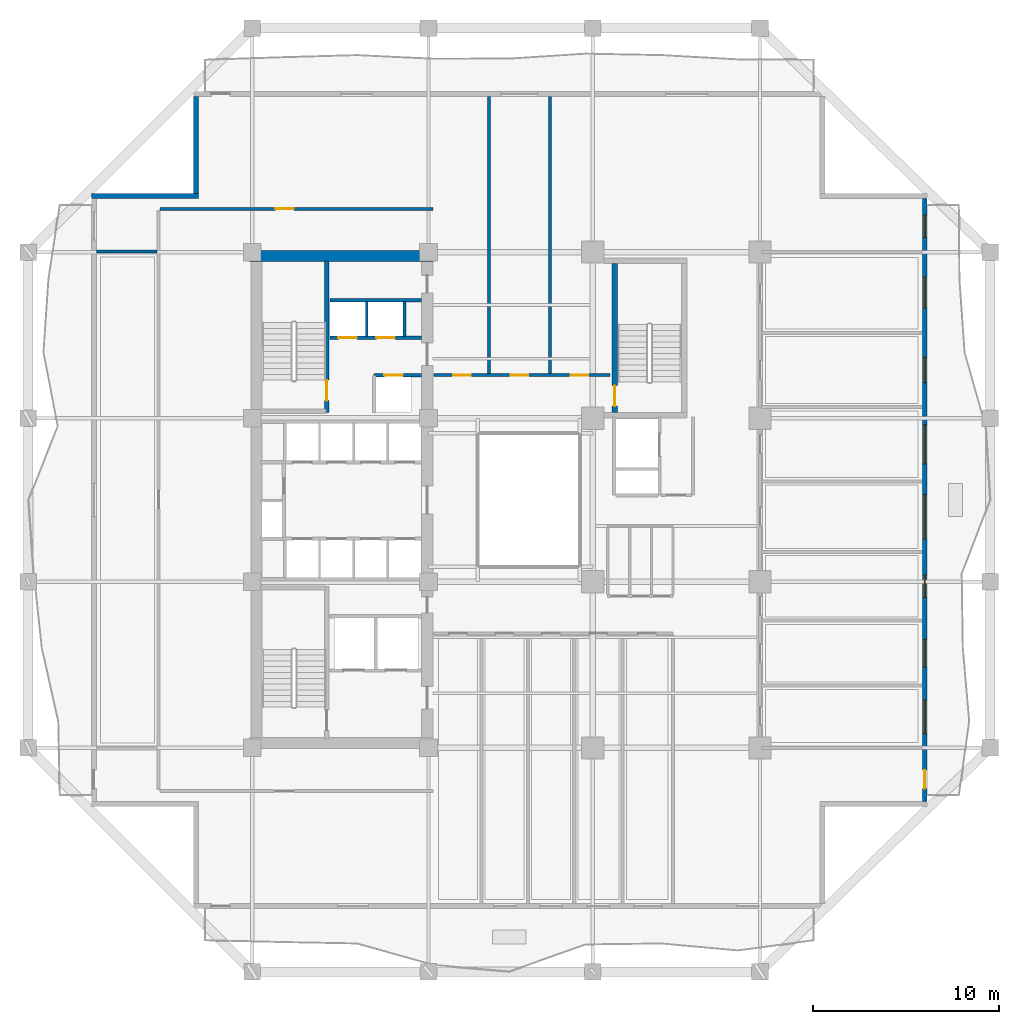
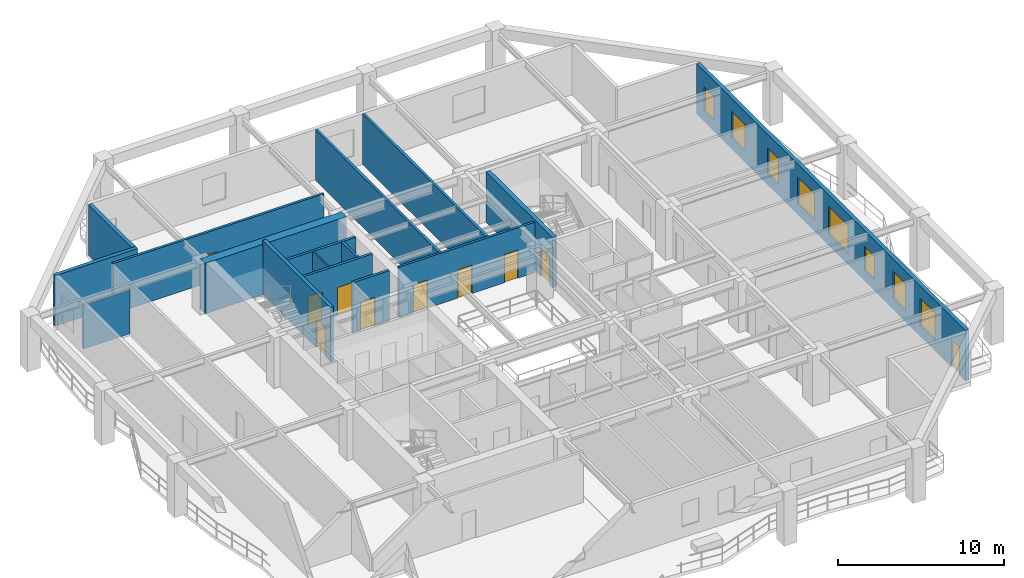
# One storey, part 5 of 13: 16 walls, 10 doors, 8 windows, 18 openings.
"""IFC4 building model written with IfcOpenShell, lengths in metres."""

from ifc_helpers import new_model, si_unit, direction, frame, frame_2d, origin, place, context, subcontext, project, spatial, rectangle, extrude, material, layer, layer_set, type_object, element, fill, save


model = new_model("IFC4")

# Units and contexts
model_context = context("Model", 3, precision=1e-05, world=origin(), true_north=direction((0.0, 1.0)))
body_context = subcontext(model_context, "Body", "Model", "MODEL_VIEW")
ifc_project = project(units=[si_unit("LENGTHUNIT", "METRE"), si_unit("AREAUNIT", "SQUARE_METRE"), si_unit("VOLUMEUNIT", "CUBIC_METRE"), si_unit("PLANEANGLEUNIT", "RADIAN"), si_unit("MASSUNIT", "GRAM", prefix="KILO")], contexts=[model_context])

# Site, building, storey
site_placement = place(None, origin())
site = spatial("IfcSite", under=ifc_project, at=site_placement, CompositionType="ELEMENT")
building_placement = place(site_placement, origin())
building = spatial("IfcBuilding", under=site, at=building_placement, Name="Kundavana Baori Tower", CompositionType="ELEMENT")
storey_placement = place(building_placement, frame((0.0, 0.0, 66.0)))
storey = spatial("IfcBuildingStorey", under=building, at=storey_placement, Name="L15", CompositionType="ELEMENT", Elevation=66.0)

# Wall, opening, door
ifc_material_1 = material(Name="Concrete C50/60", Category="concrete")
ifc_layer_1 = layer(ifc_material_1, 0.39990234375, Name="WL-CORE-400")
ifc_layer_set_1 = layer_set([ifc_layer_1], Name="Concrete C50/60")
wall_type_1 = type_object("IfcWallType", Name="WL-CORE-400", PredefinedType="SHEAR", material=ifc_layer_set_1)
wall_1_placement = place(storey_placement, frame((19.4599609375, 33.300048828125, 0.0), z_axis=(0.0, 0.0, 1.0), x_axis=(0.0, 1.0, 0.0)))
wall_1 = element("IfcWall", 1, at=wall_1_placement, inside=storey, type_object=wall_type_1, Name="WL-L15-ST2-E", PredefinedType="SHEAR", context=body_context, shape_type="SweptSolid", body=[
    extrude(rectangle(XDim=8.179931640625, YDim=0.239990234375, at=frame_2d((4.08984375, 0.0))), origin(), (0.0, 0.0, 1.0), 4.0),
])
opening_1_placement = place(wall_1_placement, frame((0.64990234375, 0.0, 0.0)))
opening_1 = element("IfcOpeningElement", 2, at=opening_1_placement, cuts=wall_1, Name="Opening FD-110", PredefinedType="OPENING", context=body_context, shape_type="SweptSolid", body=[
    extrude(rectangle(XDim=1.10009765625, YDim=2.10009765625, at=frame_2d((0.550048828125, 1.050048828125))), frame((0.0, 0.1298828125, 0.0), z_axis=(0.0, -1.0, 0.0), x_axis=(1.0, 0.0, 0.0)), (0.0, 0.0, 1.0), 0.260009765625),
])
ifc_material_2 = material(Name="Galvanised Steel Fire-Rated Door Leaf", Category="steel")
door_type_1 = type_object("IfcDoorType", Name="DR-FD120-1100", OperationType="NOTDEFINED", PredefinedType="DOOR", material=ifc_material_2)
door_1_placement = place(opening_1_placement, origin())
door_1 = element("IfcDoor", 3, at=door_1_placement, inside=storey, type_object=door_type_1, Name="DR-L15-ST2", OperationType="SINGLE_SWING_RIGHT", OverallHeight=2.10009765625, OverallWidth=1.10009765625, PredefinedType="DOOR", context=body_context, shape_type="SweptSolid", body=[
    extrude(rectangle(XDim=1.10009765625, YDim=2.10009765625, at=frame_2d((0.550048828125, 1.050048828125))), frame((0.0, 0.02490234375, 0.0), z_axis=(0.0, -1.0, 0.0), x_axis=(1.0, 0.0, 0.0)), (0.0, 0.0, 1.0), 0.050048828125),
])
fill(opening_1, door_1)

# Wall
ifc_material_3 = material(Name="Concrete C60/75", Category="concrete")
ifc_layer_2 = layer(ifc_material_3, 0.60009765625, Name="WL-CORE-600")
ifc_layer_set_2 = layer_set([ifc_layer_2], Name="Concrete C60/75")
wall_type_2 = type_object("IfcWallType", Name="WL-CORE-600", PredefinedType="SHEAR", material=ifc_layer_set_2)
wall_2_placement = place(storey_placement, frame((15.300048828125, 41.739990234375, 0.0), z_axis=(0.0, 0.0, 1.0), x_axis=(1.0, 0.0, 0.0)))
element("IfcWall", 4, at=wall_2_placement, inside=storey, type_object=wall_type_2, Name="L15 Offset Core North Shear Wall", PredefinedType="SHEAR", context=body_context, shape_type="SweptSolid", body=[
    extrude(rectangle(XDim=9.8798828125, YDim=0.60009765625, at=frame_2d((4.93994140625, 0.0))), origin(), (0.0, 0.0, 1.0), 3.719970703125),
])

# Wall, openings, door, windows
ifc_material_4 = material(Name="Kiln-Fired Terracotta Brick-Slip Masonry on Concrete C40/50", Category="masonry")
ifc_layer_3 = layer(ifc_material_4, 0.260009765625, Name="WL-EXT-BRK-260")
ifc_layer_set_3 = layer_set([ifc_layer_3], Name="Kiln-Fired Terracotta Brick-Slip Masonry on Concrete C40/50")
wall_type_3 = type_object("IfcWallType", Name="WL-EXT-BRK-260", PredefinedType="SOLIDWALL", material=ifc_layer_set_3)
wall_3_placement = place(storey_placement, frame((51.669921875, 12.360107421875, 0.0), z_axis=(0.0, 0.0, 1.0), x_axis=(0.0, 1.0, 0.0)))
wall_3 = element("IfcWall", 5, at=wall_3_placement, inside=storey, type_object=wall_type_3, Name="L15 Exterior Insulated Facade Wall 04", PredefinedType="SOLIDWALL", context=body_context, shape_type="SweptSolid", body=[
    extrude(rectangle(XDim=32.47998046875, YDim=0.260009765625, at=frame_2d((16.239990234375, 0.0))), origin(), (0.0, 0.0, 1.0), 3.719970703125),
])
opening_2_placement = place(wall_3_placement, frame((0.68994140625, 0.0, 0.0)))
opening_2 = element("IfcOpeningElement", 6, at=opening_2_placement, cuts=wall_3, Name="Opening BD-1", PredefinedType="OPENING", context=body_context, shape_type="SweptSolid", body=[
    extrude(rectangle(XDim=1.0, YDim=2.050048828125, at=frame_2d((0.5, 1.02490234375))), frame((0.0, 0.14013671875, 0.0), z_axis=(0.0, -1.0, 0.0), x_axis=(1.0, 0.0, 0.0)), (0.0, 0.0, 1.0), 0.280029296875),
])
opening_3_placement = place(wall_3_placement, frame((3.6650390625, 0.0, 0.800048828125)))
opening_3 = element("IfcOpeningElement", 7, at=opening_3_placement, cuts=wall_3, Name="Opening W-01", PredefinedType="OPENING", context=body_context, shape_type="SweptSolid", body=[
    extrude(rectangle(XDim=1.800048828125, YDim=2.0, at=frame_2d((0.89990234375, 1.0))), frame((0.0, 0.14013671875, 0.0), z_axis=(0.0, -1.0, 0.0), x_axis=(1.0, 0.0, 0.0)), (0.0, 0.0, 1.0), 0.280029296875),
])
opening_4_placement = place(wall_3_placement, frame((7.239990234375, 0.0, 0.800048828125)))
opening_4 = element("IfcOpeningElement", 8, at=opening_4_placement, cuts=wall_3, Name="Opening W-02", PredefinedType="OPENING", context=body_context, shape_type="SweptSolid", body=[
    extrude(rectangle(XDim=1.5, YDim=2.0, at=frame_2d((0.75, 1.0))), frame((0.0, 0.14013671875, 0.0), z_axis=(0.0, -1.0, 0.0), x_axis=(1.0, 0.0, 0.0)), (0.0, 0.0, 1.0), 0.280029296875),
])
opening_5_placement = place(wall_3_placement, frame((10.989990234375, 0.0, 0.800048828125)))
opening_5 = element("IfcOpeningElement", 9, at=opening_5_placement, cuts=wall_3, Name="Opening W-03", PredefinedType="OPENING", context=body_context, shape_type="SweptSolid", body=[
    extrude(rectangle(XDim=1.199951171875, YDim=1.75, at=frame_2d((0.60009765625, 0.875))), frame((0.0, 0.14013671875, 0.0), z_axis=(0.0, -1.0, 0.0), x_axis=(1.0, 0.0, 0.0)), (0.0, 0.0, 1.0), 0.280029296875),
])
opening_6_placement = place(wall_3_placement, frame((14.139892578125, 0.0, 0.800048828125)))
opening_6 = element("IfcOpeningElement", 10, at=opening_6_placement, cuts=wall_3, Name="Opening W-04", PredefinedType="OPENING", context=body_context, shape_type="SweptSolid", body=[
    extrude(rectangle(XDim=2.39990234375, YDim=2.050048828125, at=frame_2d((1.199951171875, 1.02490234375))), frame((0.0, 0.14013671875, 0.0), z_axis=(0.0, -1.0, 0.0), x_axis=(1.0, 0.0, 0.0)), (0.0, 0.0, 1.0), 0.280029296875),
])
opening_7_placement = place(wall_3_placement, frame((18.18994140625, 0.0, 0.800048828125)))
opening_7 = element("IfcOpeningElement", 11, at=opening_7_placement, cuts=wall_3, Name="Opening W-05", PredefinedType="OPENING", context=body_context, shape_type="SweptSolid", body=[
    extrude(rectangle(XDim=2.10009765625, YDim=1.949951171875, at=frame_2d((1.050048828125, 0.97509765625))), frame((0.0, 0.14013671875, 0.0), z_axis=(0.0, -1.0, 0.0), x_axis=(1.0, 0.0, 0.0)), (0.0, 0.0, 1.0), 0.280029296875),
])
opening_8_placement = place(wall_3_placement, frame((22.56494140625, 0.0, 0.800048828125)))
opening_8 = element("IfcOpeningElement", 12, at=opening_8_placement, cuts=wall_3, Name="Opening W-07", PredefinedType="OPENING", context=body_context, shape_type="SweptSolid", body=[
    extrude(rectangle(XDim=1.35009765625, YDim=1.89990234375, at=frame_2d((0.675048828125, 0.949951171875))), frame((0.0, 0.14013671875, 0.0), z_axis=(0.0, -1.0, 0.0), x_axis=(1.0, 0.0, 0.0)), (0.0, 0.0, 1.0), 0.280029296875),
])
opening_9_placement = place(wall_3_placement, frame((26.590087890625, 0.0, 0.800048828125)))
opening_9 = element("IfcOpeningElement", 13, at=opening_9_placement, cuts=wall_3, Name="Opening W-08", PredefinedType="OPENING", context=body_context, shape_type="SweptSolid", body=[
    extrude(rectangle(XDim=1.64990234375, YDim=1.949951171875, at=frame_2d((0.824951171875, 0.97509765625))), frame((0.0, 0.14013671875, 0.0), z_axis=(0.0, -1.0, 0.0), x_axis=(1.0, 0.0, 0.0)), (0.0, 0.0, 1.0), 0.280029296875),
])
opening_10_placement = place(wall_3_placement, frame((30.3798828125, 0.0, 0.800048828125)))
opening_10 = element("IfcOpeningElement", 14, at=opening_10_placement, cuts=wall_3, Name="Opening W-03", PredefinedType="OPENING", context=body_context, shape_type="SweptSolid", body=[
    extrude(rectangle(XDim=1.199951171875, YDim=1.75, at=frame_2d((0.60009765625, 0.875))), frame((0.0, 0.14013671875, 0.0), z_axis=(0.0, -1.0, 0.0), x_axis=(1.0, 0.0, 0.0)), (0.0, 0.0, 1.0), 0.280029296875),
])
ifc_material_5 = material(Name="Architectural Patinated Bronze Metalwork")
door_type_2 = type_object("IfcDoorType", Name="DR-EXT-LOG-1000", OperationType="NOTDEFINED", PredefinedType="DOOR", material=ifc_material_5)
door_2_placement = place(opening_2_placement, frame((1.0, 0.0, 0.0), z_axis=(0.0, 0.0, 1.0), x_axis=(-1.0, 0.0, 0.0)))
door_2 = element("IfcDoor", 15, at=door_2_placement, inside=storey, type_object=door_type_2, Name="L15 Loggia Balcony Access Door E", OperationType="SINGLE_SWING_RIGHT", OverallHeight=2.050048828125, OverallWidth=1.0, PredefinedType="DOOR", context=body_context, shape_type="SweptSolid", body=[
    extrude(rectangle(XDim=1.0, YDim=2.050048828125, at=frame_2d((0.5, 1.02490234375))), frame((0.0, 0.02490234375, 0.0), z_axis=(0.0, -1.0, 0.0), x_axis=(1.0, 0.0, 0.0)), (0.0, 0.0, 1.0), 0.050048828125),
])
fill(opening_2, door_2)
ifc_material_6 = material(Name="Double-Glazed Solar-Control Low-E Insulated Glass", Category="glass")
window_type_1 = type_object("IfcWindowType", Name="WIN-LOG-1200x1750", PartitioningType="SINGLE_PANEL", PredefinedType="WINDOW", material=ifc_material_6)
window_1_placement = place(opening_5_placement, origin())
window_1 = element("IfcWindow", 16, at=window_1_placement, inside=storey, type_object=window_type_1, Name="L15 Recessed Loggia Window E-4", OverallHeight=1.75, OverallWidth=1.199951171875, PartitioningType="SINGLE_PANEL", PredefinedType="WINDOW", context=body_context, shape_type="SweptSolid", body=[
    extrude(rectangle(XDim=1.199951171875, YDim=1.75, at=frame_2d((0.60009765625, 0.875))), frame((0.0, 0.030029296875, 0.0), z_axis=(0.0, -1.0, 0.0), x_axis=(1.0, 0.0, 0.0)), (0.0, 0.0, 1.0), 0.06005859375),
])
fill(opening_5, window_1)
window_2_placement = place(opening_10_placement, origin())
window_2 = element("IfcWindow", 17, at=window_2_placement, inside=storey, type_object=window_type_1, Name="L15 Recessed Loggia Window E-9", OverallHeight=1.75, OverallWidth=1.199951171875, PartitioningType="SINGLE_PANEL", PredefinedType="WINDOW", context=body_context, shape_type="SweptSolid", body=[
    extrude(rectangle(XDim=1.199951171875, YDim=1.75, at=frame_2d((0.60009765625, 0.875))), frame((0.0, 0.030029296875, 0.0), z_axis=(0.0, -1.0, 0.0), x_axis=(1.0, 0.0, 0.0)), (0.0, 0.0, 1.0), 0.06005859375),
])
fill(opening_10, window_2)
ifc_material_7 = material(Name="Double-Glazed Solar-Control Low-E Insulated Glass", Category="glass")
window_type_2 = type_object("IfcWindowType", Name="WIN-LOG-1350x1900", PartitioningType="SINGLE_PANEL", PredefinedType="WINDOW", material=ifc_material_7)
window_3_placement = place(opening_8_placement, origin())
window_3 = element("IfcWindow", 18, at=window_3_placement, inside=storey, type_object=window_type_2, Name="L15 Recessed Loggia Window E-7", OverallHeight=1.89990234375, OverallWidth=1.35009765625, PartitioningType="SINGLE_PANEL", PredefinedType="WINDOW", context=body_context, shape_type="SweptSolid", body=[
    extrude(rectangle(XDim=1.35009765625, YDim=1.89990234375, at=frame_2d((0.675048828125, 0.949951171875))), frame((0.0, 0.030029296875, 0.0), z_axis=(0.0, -1.0, 0.0), x_axis=(1.0, 0.0, 0.0)), (0.0, 0.0, 1.0), 0.06005859375),
])
fill(opening_8, window_3)
ifc_material_8 = material(Name="Double-Glazed Solar-Control Low-E Insulated Glass", Category="glass")
window_type_3 = type_object("IfcWindowType", Name="WIN-LOG-1500x2000", PartitioningType="SINGLE_PANEL", PredefinedType="WINDOW", material=ifc_material_8)
window_4_placement = place(opening_4_placement, origin())
window_4 = element("IfcWindow", 19, at=window_4_placement, inside=storey, type_object=window_type_3, Name="L15 Recessed Loggia Window E-3", OverallHeight=2.0, OverallWidth=1.5, PartitioningType="SINGLE_PANEL", PredefinedType="WINDOW", context=body_context, shape_type="SweptSolid", body=[
    extrude(rectangle(XDim=1.5, YDim=2.0, at=frame_2d((0.75, 1.0))), frame((0.0, 0.030029296875, 0.0), z_axis=(0.0, -1.0, 0.0), x_axis=(1.0, 0.0, 0.0)), (0.0, 0.0, 1.0), 0.06005859375),
])
fill(opening_4, window_4)
ifc_material_9 = material(Name="Double-Glazed Solar-Control Low-E Insulated Glass", Category="glass")
window_type_4 = type_object("IfcWindowType", Name="WIN-LOG-1650x1950", PartitioningType="SINGLE_PANEL", PredefinedType="WINDOW", material=ifc_material_9)
window_5_placement = place(opening_9_placement, origin())
window_5 = element("IfcWindow", 20, at=window_5_placement, inside=storey, type_object=window_type_4, Name="L15 Recessed Loggia Window E-8", OverallHeight=1.949951171875, OverallWidth=1.64990234375, PartitioningType="SINGLE_PANEL", PredefinedType="WINDOW", context=body_context, shape_type="SweptSolid", body=[
    extrude(rectangle(XDim=1.64990234375, YDim=1.949951171875, at=frame_2d((0.824951171875, 0.97509765625))), frame((0.0, 0.030029296875, 0.0), z_axis=(0.0, -1.0, 0.0), x_axis=(1.0, 0.0, 0.0)), (0.0, 0.0, 1.0), 0.06005859375),
])
fill(opening_9, window_5)
ifc_material_10 = material(Name="Double-Glazed Solar-Control Low-E Insulated Glass", Category="glass")
window_type_5 = type_object("IfcWindowType", Name="WIN-LOG-1800x2000", PartitioningType="SINGLE_PANEL", PredefinedType="WINDOW", material=ifc_material_10)
window_6_placement = place(opening_3_placement, origin())
window_6 = element("IfcWindow", 21, at=window_6_placement, inside=storey, type_object=window_type_5, Name="L15 Recessed Loggia Window E-2", OverallHeight=2.0, OverallWidth=1.800048828125, PartitioningType="SINGLE_PANEL", PredefinedType="WINDOW", context=body_context, shape_type="SweptSolid", body=[
    extrude(rectangle(XDim=1.800048828125, YDim=2.0, at=frame_2d((0.89990234375, 1.0))), frame((0.0, 0.030029296875, 0.0), z_axis=(0.0, -1.0, 0.0), x_axis=(1.0, 0.0, 0.0)), (0.0, 0.0, 1.0), 0.06005859375),
])
fill(opening_3, window_6)
ifc_material_11 = material(Name="Double-Glazed Solar-Control Low-E Insulated Glass", Category="glass")
window_type_6 = type_object("IfcWindowType", Name="WIN-LOG-2100x1950", PartitioningType="SINGLE_PANEL", PredefinedType="WINDOW", material=ifc_material_11)
window_7_placement = place(opening_7_placement, origin())
window_7 = element("IfcWindow", 22, at=window_7_placement, inside=storey, type_object=window_type_6, Name="L15 Recessed Loggia Window E-6", OverallHeight=1.949951171875, OverallWidth=2.10009765625, PartitioningType="SINGLE_PANEL", PredefinedType="WINDOW", context=body_context, shape_type="SweptSolid", body=[
    extrude(rectangle(XDim=2.10009765625, YDim=1.949951171875, at=frame_2d((1.050048828125, 0.97509765625))), frame((0.0, 0.030029296875, 0.0), z_axis=(0.0, -1.0, 0.0), x_axis=(1.0, 0.0, 0.0)), (0.0, 0.0, 1.0), 0.06005859375),
])
fill(opening_7, window_7)
ifc_material_12 = material(Name="Double-Glazed Solar-Control Low-E Insulated Glass", Category="glass")
window_type_7 = type_object("IfcWindowType", Name="WIN-LOG-2400x2050", PartitioningType="SINGLE_PANEL", PredefinedType="WINDOW", material=ifc_material_12)
window_8_placement = place(opening_6_placement, origin())
window_8 = element("IfcWindow", 23, at=window_8_placement, inside=storey, type_object=window_type_7, Name="L15 Recessed Loggia Window E-5", OverallHeight=2.050048828125, OverallWidth=2.39990234375, PartitioningType="SINGLE_PANEL", PredefinedType="WINDOW", context=body_context, shape_type="SweptSolid", body=[
    extrude(rectangle(XDim=2.39990234375, YDim=2.050048828125, at=frame_2d((1.199951171875, 1.02490234375))), frame((0.0, 0.030029296875, 0.0), z_axis=(0.0, -1.0, 0.0), x_axis=(1.0, 0.0, 0.0)), (0.0, 0.0, 1.0), 0.06005859375),
])
fill(opening_6, window_8)

# Walls
wall_4_placement = place(storey_placement, frame((12.429931640625, 50.340087890625, 0.0), z_axis=(0.0, 0.0, 1.0), x_axis=(0.0, -1.0, 0.0)))
element("IfcWall", 24, at=wall_4_placement, inside=storey, type_object=wall_type_3, Name="L15 Exterior Insulated Facade Wall 08", PredefinedType="SOLIDWALL", context=body_context, shape_type="SweptSolid", body=[
    extrude(rectangle(XDim=5.239990234375, YDim=0.260009765625, at=frame_2d((2.6201171875, 0.0))), origin(), (0.0, 0.0, 1.0), 3.719970703125),
])
wall_5_placement = place(storey_placement, frame((12.56005859375, 44.969970703125, 0.0), z_axis=(0.0, 0.0, 1.0), x_axis=(-1.0, 0.0, 0.0)))
element("IfcWall", 25, at=wall_5_placement, inside=storey, type_object=wall_type_3, Name="L15 Exterior Insulated Facade Wall 09", PredefinedType="SOLIDWALL", context=body_context, shape_type="SweptSolid", body=[
    extrude(rectangle(XDim=5.760009765625, YDim=0.260009765625, at=frame_2d((2.8798828125, 0.0))), origin(), (0.0, 0.0, 1.0), 3.719970703125),
])
ifc_material_13 = material(Name="Acoustic Gypsum Plasterboard on Galvanised Steel Studs", Category="steel")
ifc_layer_4 = layer(ifc_material_13, 0.1201171875, Name="WL-PART-120")
ifc_layer_set_4 = layer_set([ifc_layer_4], Name="Acoustic Gypsum Plasterboard on Galvanised Steel Studs")
wall_type_4 = type_object("IfcWallType", Name="WL-PART-120", PredefinedType="PARTITIONING", material=ifc_layer_set_4)
wall_6_placement = place(storey_placement, frame((21.6201171875, 37.39990234375, 0.0), z_axis=(0.0, 0.0, 1.0), x_axis=(0.0, 1.0, 0.0)))
element("IfcWall", 26, at=wall_6_placement, inside=storey, type_object=wall_type_4, Name="WL-L15-HR-DIV1", PredefinedType="PARTITIONING", context=body_context, shape_type="SweptSolid", body=[
    extrude(rectangle(XDim=1.900146484375, YDim=0.1201171875, at=frame_2d((0.9501953125, 0.0))), origin(), (0.0, 0.0, 1.0), 3.719970703125),
])

# Wall, openings, doors
ifc_material_14 = material(Name="Fire-Rated Gypsum Drywall on Galvanised Steel Studs", Category="steel")
ifc_layer_5 = layer(ifc_material_14, 0.1650390625, Name="WL-PART-165")
ifc_layer_set_5 = layer_set([ifc_layer_5], Name="Fire-Rated Gypsum Drywall on Galvanised Steel Studs")
wall_type_5 = type_object("IfcWallType", Name="WL-PART-165", PredefinedType="PARTITIONING", material=ifc_layer_set_5)
wall_7_placement = place(storey_placement, frame((25.25, 35.320068359375, 0.0), z_axis=(0.0, 0.0, 1.0), x_axis=(1.0, 0.0, 0.0)))
wall_7 = element("IfcWall", 27, at=wall_7_placement, inside=storey, type_object=wall_type_5, Name="WL-L15-OFN", PredefinedType="PARTITIONING", context=body_context, shape_type="SweptSolid", body=[
    extrude(rectangle(XDim=9.469970703125, YDim=0.1650390625, at=frame_2d((4.73486328125, 0.0))), origin(), (0.0, 0.0, 1.0), 3.719970703125),
])
opening_11_placement = place(wall_7_placement, frame((1.02490234375, 0.0, 0.0)))
opening_11 = element("IfcOpeningElement", 28, at=opening_11_placement, cuts=wall_7, Name="Opening ID-095", PredefinedType="OPENING", context=body_context, shape_type="SweptSolid", body=[
    extrude(rectangle(XDim=0.949951171875, YDim=2.080078125, at=frame_2d((0.47509765625, 1.0400390625))), frame((0.0, 0.092529296875, 0.0), z_axis=(0.0, -1.0, 0.0), x_axis=(1.0, 0.0, 0.0)), (0.0, 0.0, 1.0), 0.18505859375),
])
opening_12_placement = place(wall_7_placement, frame((4.125, 0.0, 0.0)))
opening_12 = element("IfcOpeningElement", 29, at=opening_12_placement, cuts=wall_7, Name="Opening ID-095", PredefinedType="OPENING", context=body_context, shape_type="SweptSolid", body=[
    extrude(rectangle(XDim=0.949951171875, YDim=2.080078125, at=frame_2d((0.47509765625, 1.0400390625))), frame((0.0, 0.092529296875, 0.0), z_axis=(0.0, -1.0, 0.0), x_axis=(1.0, 0.0, 0.0)), (0.0, 0.0, 1.0), 0.18505859375),
])
opening_13_placement = place(wall_7_placement, frame((7.364990234375, 0.0, 0.0)))
opening_13 = element("IfcOpeningElement", 30, at=opening_13_placement, cuts=wall_7, Name="Opening ID-095", PredefinedType="OPENING", context=body_context, shape_type="SweptSolid", body=[
    extrude(rectangle(XDim=0.949951171875, YDim=2.080078125, at=frame_2d((0.47509765625, 1.0400390625))), frame((0.0, 0.092529296875, 0.0), z_axis=(0.0, -1.0, 0.0), x_axis=(1.0, 0.0, 0.0)), (0.0, 0.0, 1.0), 0.18505859375),
])
ifc_material_15 = material(Name="Engineered Teak Solid-Core Timber Veneer", Category="wood")
door_type_3 = type_object("IfcDoorType", Name="DR-INT-950", OperationType="NOTDEFINED", PredefinedType="DOOR", material=ifc_material_15)
door_3_placement = place(opening_11_placement, origin())
door_3 = element("IfcDoor", 31, at=door_3_placement, inside=storey, type_object=door_type_3, Name="DR-L15-OFN1", OperationType="SINGLE_SWING_LEFT", OverallHeight=2.080078125, OverallWidth=0.949951171875, PredefinedType="DOOR", context=body_context, shape_type="SweptSolid", body=[
    extrude(rectangle(XDim=0.949951171875, YDim=2.080078125, at=frame_2d((0.47509765625, 1.0400390625))), frame((0.0, 0.02490234375, 0.0), z_axis=(0.0, -1.0, 0.0), x_axis=(1.0, 0.0, 0.0)), (0.0, 0.0, 1.0), 0.050048828125),
])
fill(opening_11, door_3)
door_4_placement = place(opening_12_placement, origin())
door_4 = element("IfcDoor", 32, at=door_4_placement, inside=storey, type_object=door_type_3, Name="DR-L15-OFN2", OperationType="SINGLE_SWING_LEFT", OverallHeight=2.080078125, OverallWidth=0.949951171875, PredefinedType="DOOR", context=body_context, shape_type="SweptSolid", body=[
    extrude(rectangle(XDim=0.949951171875, YDim=2.080078125, at=frame_2d((0.47509765625, 1.0400390625))), frame((0.0, 0.02490234375, 0.0), z_axis=(0.0, -1.0, 0.0), x_axis=(1.0, 0.0, 0.0)), (0.0, 0.0, 1.0), 0.050048828125),
])
fill(opening_12, door_4)
door_5_placement = place(opening_13_placement, origin())
door_5 = element("IfcDoor", 33, at=door_5_placement, inside=storey, type_object=door_type_3, Name="DR-L15-OFN3", OperationType="SINGLE_SWING_LEFT", OverallHeight=2.080078125, OverallWidth=0.949951171875, PredefinedType="DOOR", context=body_context, shape_type="SweptSolid", body=[
    extrude(rectangle(XDim=0.949951171875, YDim=2.080078125, at=frame_2d((0.47509765625, 1.0400390625))), frame((0.0, 0.02490234375, 0.0), z_axis=(0.0, -1.0, 0.0), x_axis=(1.0, 0.0, 0.0)), (0.0, 0.0, 1.0), 0.050048828125),
])
fill(opening_13, door_5)

# Wall
wall_8_placement = place(storey_placement, frame((7.080078125, 41.97998046875, 0.0), z_axis=(0.0, 0.0, 1.0), x_axis=(1.0, 0.0, 0.0)))
element("IfcWall", 34, at=wall_8_placement, inside=storey, type_object=wall_type_5, Name="WL-L15-OWN", PredefinedType="PARTITIONING", context=body_context, shape_type="SweptSolid", body=[
    extrude(rectangle(XDim=3.260009765625, YDim=0.1650390625, at=frame_2d((1.6298828125, 0.0))), origin(), (0.0, 0.0, 1.0), 3.219970703125),
])

# Wall, opening, door
wall_9_placement = place(storey_placement, frame((10.5, 44.280029296875, 0.0), z_axis=(0.0, 0.0, 1.0), x_axis=(1.0, 0.0, 0.0)))
wall_9 = element("IfcWall", 35, at=wall_9_placement, inside=storey, type_object=wall_type_5, Name="WL-L15-ONC", PredefinedType="PARTITIONING", context=body_context, shape_type="SweptSolid", body=[
    extrude(rectangle(XDim=14.699951171875, YDim=0.1650390625, at=frame_2d((7.35009765625, 0.0))), origin(), (0.0, 0.0, 1.0), 3.719970703125),
])
opening_14_placement = place(wall_9_placement, frame((6.199951171875, 0.0, 0.0)))
opening_14 = element("IfcOpeningElement", 36, at=opening_14_placement, cuts=wall_9, Name="Opening ID-100", PredefinedType="OPENING", context=body_context, shape_type="SweptSolid", body=[
    extrude(rectangle(XDim=1.0, YDim=2.080078125, at=frame_2d((0.5, 1.0400390625))), frame((0.0, 0.092529296875, 0.0), z_axis=(0.0, -1.0, 0.0), x_axis=(1.0, 0.0, 0.0)), (0.0, 0.0, 1.0), 0.18505859375),
])
ifc_material_16 = material(Name="Engineered Teak Solid-Core Timber Veneer", Category="wood")
door_type_4 = type_object("IfcDoorType", Name="DR-INT-1000", OperationType="NOTDEFINED", PredefinedType="DOOR", material=ifc_material_16)
door_6_placement = place(opening_14_placement, origin())
door_6 = element("IfcDoor", 37, at=door_6_placement, inside=storey, type_object=door_type_4, Name="DR-L15-ONWC", OperationType="SINGLE_SWING_RIGHT", OverallHeight=2.080078125, OverallWidth=1.0, PredefinedType="DOOR", context=body_context, shape_type="SweptSolid", body=[
    extrude(rectangle(XDim=1.0, YDim=2.080078125, at=frame_2d((0.5, 1.0400390625))), frame((0.0, 0.02490234375, 0.0), z_axis=(0.0, -1.0, 0.0), x_axis=(1.0, 0.0, 0.0)), (0.0, 0.0, 1.0), 0.050048828125),
])
fill(opening_14, door_6)

# Walls
for number, where, z_axis, x_axis, name in (
    (38, (28.199951171875, 35.39990234375, 0.0), (0.0, 0.0, 1.0), (0.0, 1.0, 0.0), "WL-L15-ND1"),
    (39, (31.5, 35.39990234375, 0.0), (0.0, 0.0, 1.0), (0.0, 1.0, 0.0), "WL-L15-ND2"),
):
    element("IfcWall", number, at=place(storey_placement, frame(where, z_axis=z_axis, x_axis=x_axis)), inside=storey, type_object=wall_type_5, Name=name, PredefinedType="PARTITIONING", context=body_context, shape_type="SweptSolid", body=[
        extrude(rectangle(XDim=14.920166015625, YDim=0.1650390625, at=frame_2d((7.4599609375, 0.0))), origin(), (0.0, 0.0, 1.0), 3.719970703125),
    ])

# Wall, opening, door
ifc_material_17 = material(Name="Autoclaved Aerated Concrete Blockwork Masonry", Category="masonry")
ifc_layer_6 = layer(ifc_material_17, 0.179931640625, Name="WL-SHAFT-180")
ifc_layer_set_6 = layer_set([ifc_layer_6], Name="Autoclaved Aerated Concrete Blockwork Masonry")
wall_type_6 = type_object("IfcWallType", Name="WL-SHAFT-180", PredefinedType="SOLIDWALL", material=ifc_layer_set_6)
wall_10_placement = place(storey_placement, frame((22.02001953125, 35.31005859375, 0.0), z_axis=(0.0, 0.0, 1.0), x_axis=(1.0, 0.0, 0.0)))
wall_10 = element("IfcWall", 40, at=wall_10_placement, inside=storey, type_object=wall_type_6, Name="WL-L15-LP11-N", PredefinedType="SOLIDWALL", context=body_context, shape_type="SweptSolid", body=[
    extrude(rectangle(XDim=2.56005859375, YDim=0.179931640625, at=frame_2d((1.280029296875, 0.0))), origin(), (0.0, 0.0, 1.0), 3.719970703125),
])
opening_15_placement = place(wall_10_placement, frame((0.550048828125, 0.0, 0.0)))
opening_15 = element("IfcOpeningElement", 41, at=opening_15_placement, cuts=wall_10, Name="Opening LD-100", PredefinedType="OPENING", context=body_context, shape_type="SweptSolid", body=[
    extrude(rectangle(XDim=1.0, YDim=2.10009765625, at=frame_2d((0.5, 1.050048828125))), frame((0.0, 0.10009765625, 0.0), z_axis=(0.0, -1.0, 0.0), x_axis=(1.0, 0.0, 0.0)), (0.0, 0.0, 1.0), 0.199951171875),
])
ifc_material_18 = material(Name="Galvanised Steel Fire-Rated Door Leaf", Category="steel")
door_type_5 = type_object("IfcDoorType", Name="DR-SLIDE-LD1000", OperationType="NOTDEFINED", PredefinedType="DOOR", material=ifc_material_18)
door_7_placement = place(opening_15_placement, origin())
door_7 = element("IfcDoor", 42, at=door_7_placement, inside=storey, type_object=door_type_5, Name="DR-L15-LD-LP11", OperationType="DOUBLE_DOOR_SLIDING", OverallHeight=2.10009765625, OverallWidth=1.0, PredefinedType="DOOR", context=body_context, shape_type="SweptSolid", body=[
    extrude(rectangle(XDim=1.0, YDim=2.10009765625, at=frame_2d((0.5, 1.050048828125))), frame((0.0, 0.02490234375, 0.0), z_axis=(0.0, -1.0, 0.0), x_axis=(1.0, 0.0, 0.0)), (0.0, 0.0, 1.0), 0.050048828125),
])
fill(opening_15, door_7)

# Wall, openings, doors
wall_11_placement = place(storey_placement, frame((19.639892578125, 37.340087890625, 0.0), z_axis=(0.0, 0.0, 1.0), x_axis=(1.0, 0.0, 0.0)))
wall_11 = element("IfcWall", 43, at=wall_11_placement, inside=storey, type_object=wall_type_6, Name="WL-L15-HRLOB-N", PredefinedType="SOLIDWALL", context=body_context, shape_type="SweptSolid", body=[
    extrude(rectangle(XDim=4.940185546875, YDim=0.179931640625, at=frame_2d((2.47021484375, 0.0))), origin(), (0.0, 0.0, 1.0), 3.719970703125),
])
opening_16_placement = place(wall_11_placement, frame((0.449951171875, 0.0, 0.0)))
opening_16 = element("IfcOpeningElement", 44, at=opening_16_placement, cuts=wall_11, Name="Opening LD-100", PredefinedType="OPENING", context=body_context, shape_type="SweptSolid", body=[
    extrude(rectangle(XDim=1.0, YDim=2.10009765625, at=frame_2d((0.5, 1.050048828125))), frame((0.0, 0.10009765625, 0.0), z_axis=(0.0, -1.0, 0.0), x_axis=(1.0, 0.0, 0.0)), (0.0, 0.0, 1.0), 0.199951171875),
])
opening_17_placement = place(wall_11_placement, frame((2.5, 0.0, 0.0)))
opening_17 = element("IfcOpeningElement", 45, at=opening_17_placement, cuts=wall_11, Name="Opening LD-100", PredefinedType="OPENING", context=body_context, shape_type="SweptSolid", body=[
    extrude(rectangle(XDim=1.0, YDim=2.10009765625, at=frame_2d((0.5, 1.050048828125))), frame((0.0, 0.10009765625, 0.0), z_axis=(0.0, -1.0, 0.0), x_axis=(1.0, 0.0, 0.0)), (0.0, 0.0, 1.0), 0.199951171875),
])
door_8_placement = place(opening_16_placement, frame((1.0, 0.0, 0.0), z_axis=(0.0, 0.0, 1.0), x_axis=(-1.0, 0.0, 0.0)))
door_8 = element("IfcDoor", 46, at=door_8_placement, inside=storey, type_object=door_type_5, Name="DR-L15-LD-LP09", OperationType="DOUBLE_DOOR_SLIDING", OverallHeight=2.10009765625, OverallWidth=1.0, PredefinedType="DOOR", context=body_context, shape_type="SweptSolid", body=[
    extrude(rectangle(XDim=1.0, YDim=2.10009765625, at=frame_2d((0.5, 1.050048828125))), frame((0.0, 0.02490234375, 0.0), z_axis=(0.0, -1.0, 0.0), x_axis=(1.0, 0.0, 0.0)), (0.0, 0.0, 1.0), 0.050048828125),
])
fill(opening_16, door_8)
door_9_placement = place(opening_17_placement, frame((1.0, 0.0, 0.0), z_axis=(0.0, 0.0, 1.0), x_axis=(-1.0, 0.0, 0.0)))
door_9 = element("IfcDoor", 47, at=door_9_placement, inside=storey, type_object=door_type_5, Name="DR-L15-LD-LP10", OperationType="DOUBLE_DOOR_SLIDING", OverallHeight=2.10009765625, OverallWidth=1.0, PredefinedType="DOOR", context=body_context, shape_type="SweptSolid", body=[
    extrude(rectangle(XDim=1.0, YDim=2.10009765625, at=frame_2d((0.5, 1.050048828125))), frame((0.0, 0.02490234375, 0.0), z_axis=(0.0, -1.0, 0.0), x_axis=(1.0, 0.0, 0.0)), (0.0, 0.0, 1.0), 0.050048828125),
])
fill(opening_17, door_9)

# Walls
wall_12_placement = place(storey_placement, frame((19.639892578125, 39.360107421875, 0.0), z_axis=(0.0, 0.0, 1.0), x_axis=(1.0, 0.0, 0.0)))
element("IfcWall", 48, at=wall_12_placement, inside=storey, type_object=wall_type_6, Name="WL-L15-HRLOB-TOP", PredefinedType="SOLIDWALL", context=body_context, shape_type="SweptSolid", body=[
    extrude(rectangle(XDim=4.940185546875, YDim=0.179931640625, at=frame_2d((2.47021484375, 0.0))), origin(), (0.0, 0.0, 1.0), 3.719970703125),
])
wall_13_placement = place(storey_placement, frame((23.659912109375, 37.39990234375, 0.0), z_axis=(0.0, 0.0, 1.0), x_axis=(0.0, 1.0, 0.0)))
element("IfcWall", 49, at=wall_13_placement, inside=storey, type_object=wall_type_6, Name="WL-L15-HR-DIV2", PredefinedType="SOLIDWALL", context=body_context, shape_type="SweptSolid", body=[
    extrude(rectangle(XDim=1.900146484375, YDim=0.179931640625, at=frame_2d((0.9501953125, 0.0))), origin(), (0.0, 0.0, 1.0), 3.719970703125),
])

# Wall, opening, door
ifc_material_19 = material(Name="Concrete C50/60", Category="concrete")
ifc_layer_7 = layer(ifc_material_19, 0.300048828125, Name="WL-ST3-300")
ifc_layer_set_7 = layer_set([ifc_layer_7], Name="Concrete C50/60")
wall_type_7 = type_object("IfcWallType", Name="WL-ST3-300", PredefinedType="SHEAR", material=ifc_layer_set_7)
wall_14_placement = place(storey_placement, frame((34.97998046875, 33.31005859375, 0.0), z_axis=(0.0, 0.0, 1.0), x_axis=(0.0, 1.0, 0.0)))
wall_14 = element("IfcWall", 50, at=wall_14_placement, inside=storey, type_object=wall_type_7, Name="L15 Stair ST3 West Shear Wall", PredefinedType="SHEAR", context=body_context, shape_type="SweptSolid", body=[
    extrude(rectangle(XDim=8.030029296875, YDim=0.300048828125, at=frame_2d((4.01513671875, 0.0))), origin(), (0.0, 0.0, 1.0), 3.719970703125),
])
opening_18_placement = place(wall_14_placement, frame((0.35009765625, 0.0, 0.0)))
opening_18 = element("IfcOpeningElement", 51, at=opening_18_placement, cuts=wall_14, Name="Opening FD-110", PredefinedType="OPENING", context=body_context, shape_type="SweptSolid", body=[
    extrude(rectangle(XDim=1.10009765625, YDim=2.10009765625, at=frame_2d((0.550048828125, 1.050048828125))), frame((0.0, 0.16015625, 0.0), z_axis=(0.0, -1.0, 0.0), x_axis=(1.0, 0.0, 0.0)), (0.0, 0.0, 1.0), 0.320068359375),
])
door_10_placement = place(opening_18_placement, origin())
door_10 = element("IfcDoor", 52, at=door_10_placement, inside=storey, type_object=door_type_1, Name="DR-L15-ST3-W", OperationType="SINGLE_SWING_LEFT", OverallHeight=2.10009765625, OverallWidth=1.10009765625, PredefinedType="DOOR", context=body_context, shape_type="SweptSolid", body=[
    extrude(rectangle(XDim=1.10009765625, YDim=2.10009765625, at=frame_2d((0.550048828125, 1.050048828125))), frame((0.0, 0.02490234375, 0.0), z_axis=(0.0, -1.0, 0.0), x_axis=(1.0, 0.0, 0.0)), (0.0, 0.0, 1.0), 0.050048828125),
])
fill(opening_18, door_10)

save(model, "model.ifc")
